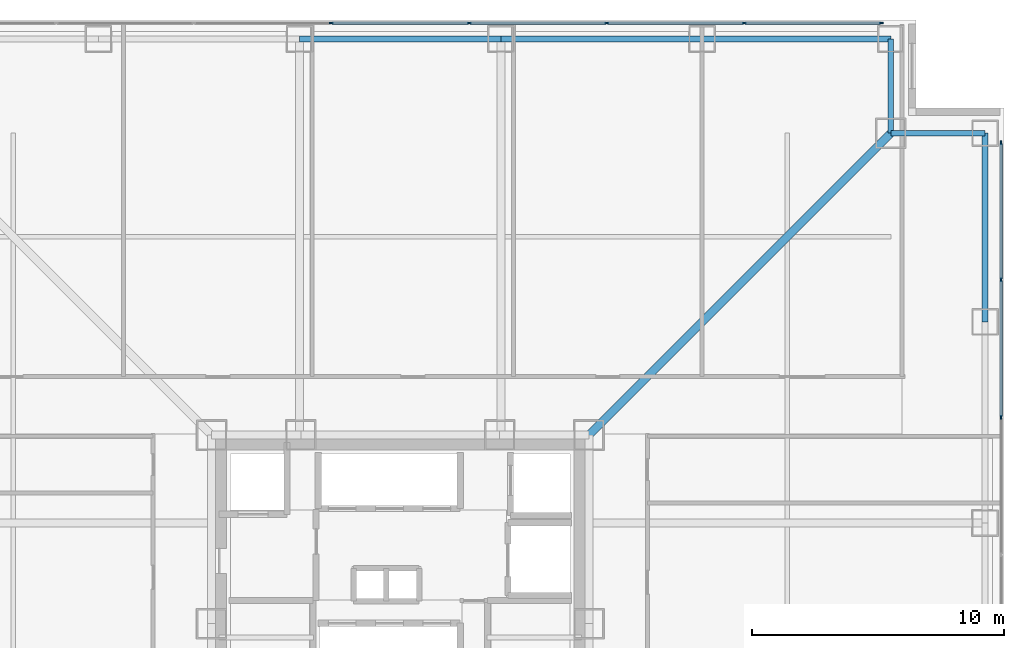
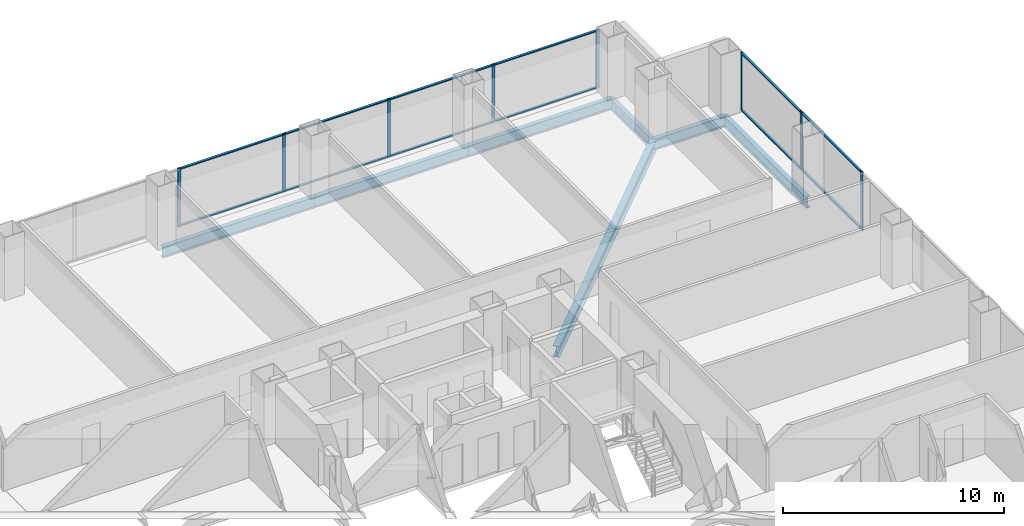
# One storey, part 13 of 20: 20 members, 7 beams, 2 elements without a shape of their own.
"""IFC4 building model written with IfcOpenShell, lengths in metres."""

from ifc_helpers import new_model, si_unit, direction, frame, origin, origin_2d, place, context, subcontext, project, spatial, rectangle, i_section, extrude, material, layer, layer_set, material_profile, profile_set, type_object, element, aggregate, save


model = new_model("IFC4")

# Units and contexts
model_context = context("Model", 3, precision=1e-05, world=origin(), true_north=direction((0.0, 1.0)))
body_context = subcontext(model_context, "Body", "Model", "MODEL_VIEW")
ifc_project = project(units=[si_unit("LENGTHUNIT", "METRE"), si_unit("AREAUNIT", "SQUARE_METRE"), si_unit("VOLUMEUNIT", "CUBIC_METRE"), si_unit("PLANEANGLEUNIT", "RADIAN"), si_unit("MASSUNIT", "GRAM", prefix="KILO")], contexts=[model_context])

# Site, building, storey
site_placement = place(None, origin())
site = spatial("IfcSite", under=ifc_project, at=site_placement, CompositionType="ELEMENT")
building_placement = place(site_placement, origin())
building = spatial("IfcBuilding", under=site, at=building_placement, Name="Trevonay Congress Spire", CompositionType="ELEMENT")
storey_placement = place(building_placement, frame((0.0, 0.0, 62.0)))
storey = spatial("IfcBuildingStorey", under=building, at=storey_placement, Name="L15", CompositionType="ELEMENT", Elevation=62.0)

# Beams
ifc_material_1 = material(Name="Steel ASTM A572 Grade 50", Category="steel")
ifc_material_profile_1 = material_profile(ifc_material_1, i_section(OverallWidth=0.324951171875, OverallDepth=0.615966796875, WebThickness=0.013916015625, FlangeThickness=0.021484375, FilletRadius=0.01806640625, at=origin_2d()), Name="W610x174")
ifc_profile_set_1 = profile_set([ifc_material_profile_1], Name="Steel ASTM A572 Grade 50")
beam_type_1 = type_object("IfcBeamType", Name="BM-GIRD-W610X174", PredefinedType="BEAM", material=ifc_profile_set_1)
beam_placement = place(storey_placement, frame((7.5, 7.5, -0.55810546875), z_axis=(0.707106781187, 0.707106781187, 0.0), x_axis=(-0.707106781187, 0.707106781187, 0.0)))
element("IfcBeam", 1, at=beam_placement, inside=storey, type_object=beam_type_1, Name="L15 structural beam BM-L15-CDNE", PredefinedType="BEAM", context=body_context, shape_type="SweptSolid", body=[
    extrude(i_section(OverallWidth=0.324951171875, OverallDepth=0.615966796875, WebThickness=0.013916015625, FlangeThickness=0.021484375, FilletRadius=0.01806640625, at=origin_2d()), origin(), (0.0, 0.0, 1.0), 16.970458984375),
])
ifc_material_profile_2 = material_profile(ifc_material_1, i_section(OverallWidth=0.22998046875, OverallDepth=0.616943359375, WebThickness=0.01318359375, FlangeThickness=0.022216796875, FilletRadius=0.01611328125, at=origin_2d()), Name="W610x140")
ifc_profile_set_2 = profile_set([ifc_material_profile_2], Name="Steel ASTM A572 Grade 50")
beam_type_2 = type_object("IfcBeamType", Name="BM-RING-W610X140", PredefinedType="BEAM", material=ifc_profile_set_2)
for number, where, z_axis, x_axis, name in (
    (2, (-4.0, 23.25, -0.55859375), (1.0, 0.0, 0.0), (0.0, 1.0, 0.0), "L15 structural beam BM-L15-PN3"),
    (3, (4.0, 23.25, -0.55859375), (1.0, 0.0, 0.0), (0.0, 1.0, 0.0), "L15 structural beam BM-L15-PN4"),
):
    element("IfcBeam", number, at=place(storey_placement, frame(where, z_axis=z_axis, x_axis=x_axis)), inside=storey, type_object=beam_type_2, Name=name, PredefinedType="BEAM", context=body_context, shape_type="SweptSolid", body=[
        extrude(i_section(OverallWidth=0.22998046875, OverallDepth=0.616943359375, WebThickness=0.01318359375, FlangeThickness=0.022216796875, FilletRadius=0.01611328125, at=origin_2d()), origin(), (0.0, 0.0, 1.0), 8.0),
    ])
for number, where, z_axis, x_axis, name in (
    (4, (12.0, 23.25, -0.55859375), (1.0, 0.0, 0.0), (0.0, 1.0, 0.0), "L15 structural beam BM-L15-PN5"),
    (5, (23.25, 12.0, -0.55859375), (0.0, 1.0, 0.0), (-1.0, 0.0, 0.0), "L15 structural beam BM-L15-PE5"),
):
    element("IfcBeam", number, at=place(storey_placement, frame(where, z_axis=z_axis, x_axis=x_axis)), inside=storey, type_object=beam_type_2, Name=name, PredefinedType="BEAM", context=body_context, shape_type="SweptSolid", body=[
        extrude(i_section(OverallWidth=0.22998046875, OverallDepth=0.616943359375, WebThickness=0.01318359375, FlangeThickness=0.022216796875, FilletRadius=0.01611328125, at=origin_2d()), origin(), (0.0, 0.0, 1.0), 7.5),
    ])
for number, where, z_axis, x_axis, name in (
    (6, (19.5, 23.25, -0.55859375), (0.0, -1.0, 0.0), (1.0, 0.0, 0.0), "L15 structural beam BM-L15-N1NE"),
    (7, (23.25, 19.5, -0.55859375), (-1.0, 0.0, 0.0), (0.0, -1.0, 0.0), "L15 structural beam BM-L15-N2NE"),
):
    element("IfcBeam", number, at=place(storey_placement, frame(where, z_axis=z_axis, x_axis=x_axis)), inside=storey, type_object=beam_type_2, Name=name, PredefinedType="BEAM", context=body_context, shape_type="SweptSolid", body=[
        extrude(i_section(OverallWidth=0.22998046875, OverallDepth=0.616943359375, WebThickness=0.01318359375, FlangeThickness=0.022216796875, FilletRadius=0.01611328125, at=origin_2d()), origin(), (0.0, 0.0, 1.0), 3.75),
    ])

# Curtain wall, members
ifc_material_2 = material(Name="Pale Anodised Aluminium EN AW-6063-T6", Category="aluminium")
ifc_layer = layer(ifc_material_2, 0.179931640625, Name="Pale Anodised Aluminium EN AW-6063-T6")
ifc_layer_set = layer_set([ifc_layer], Name="Pale Anodised Aluminium EN AW-6063-T6")
curtain_wall_type = type_object("IfcCurtainWallType", Name="CW-SYS02-HOTEL-PALE-METAL", PredefinedType="NOTDEFINED", material=ifc_layer_set)
curtain_wall_1_placement = place(storey_placement, origin())
curtain_wall_1 = element("IfcCurtainWall", 8, at=curtain_wall_1_placement, inside=storey, type_object=curtain_wall_type, Name="L15 N unitised curtain wall", PredefinedType="NOTDEFINED")
ifc_material_profile_3 = material_profile(ifc_material_2, rectangle(XDim=0.06005859375, YDim=0.159912109375, at=origin_2d()), Name="CW-MULLION-160-ALUMINIUM")
ifc_profile_set_3 = profile_set([ifc_material_profile_3], Name="Pale Anodised Aluminium EN AW-6063-T6")
member_type_1 = type_object("IfcMemberType", Name="CW-MULLION-160-ALUMINIUM", PredefinedType="MULLION", material=ifc_profile_set_3)
member_1_placement = place(storey_placement, frame((-2.735595703125, 23.8798828125, 0.0), z_axis=(0.0, 0.0, 1.0), x_axis=(0.0, 1.0, 0.0)))
member_1 = element("IfcMember", 9, at=member_1_placement, type_object=member_type_1, Name="CW02 mullion 4", PredefinedType="MULLION", context=body_context, shape_type="SweptSolid", body=[
    extrude(rectangle(XDim=0.06005859375, YDim=0.159912109375, at=origin_2d()), origin(), (0.0, 0.0, 1.0), 3.25),
])
member_2_placement = place(storey_placement, frame((2.735595703125, 23.8798828125, 0.0), z_axis=(0.0, 0.0, 1.0), x_axis=(0.0, 1.0, 0.0)))
member_2 = element("IfcMember", 10, at=member_2_placement, type_object=member_type_1, Name="CW02 mullion 5", PredefinedType="MULLION", context=body_context, shape_type="SweptSolid", body=[
    extrude(rectangle(XDim=0.06005859375, YDim=0.159912109375, at=origin_2d()), origin(), (0.0, 0.0, 1.0), 3.25),
])
member_3_placement = place(storey_placement, frame((8.20703125, 23.8798828125, 0.0), z_axis=(0.0, 0.0, 1.0), x_axis=(0.0, 1.0, 0.0)))
member_3 = element("IfcMember", 11, at=member_3_placement, type_object=member_type_1, Name="CW02 mullion 6", PredefinedType="MULLION", context=body_context, shape_type="SweptSolid", body=[
    extrude(rectangle(XDim=0.06005859375, YDim=0.159912109375, at=origin_2d()), origin(), (0.0, 0.0, 1.0), 3.25),
])
member_4_placement = place(storey_placement, frame((13.678466796875, 23.8798828125, 0.0), z_axis=(0.0, 0.0, 1.0), x_axis=(0.0, 1.0, 0.0)))
member_4 = element("IfcMember", 12, at=member_4_placement, type_object=member_type_1, Name="CW02 mullion 7", PredefinedType="MULLION", context=body_context, shape_type="SweptSolid", body=[
    extrude(rectangle(XDim=0.06005859375, YDim=0.159912109375, at=origin_2d()), origin(), (0.0, 0.0, 1.0), 3.25),
])
member_5_placement = place(storey_placement, frame((19.1201171875, 23.8798828125, 0.0), z_axis=(0.0, 0.0, 1.0), x_axis=(0.0, 1.0, 0.0)))
member_5 = element("IfcMember", 13, at=member_5_placement, type_object=member_type_1, Name="CW02 mullion 8", PredefinedType="MULLION", context=body_context, shape_type="SweptSolid", body=[
    extrude(rectangle(XDim=0.06005859375, YDim=0.159912109375, at=origin_2d()), origin(), (0.0, 0.0, 1.0), 3.25),
])

curtain_wall_2_placement = place(storey_placement, origin())
curtain_wall_2 = element("IfcCurtainWall", 14, at=curtain_wall_2_placement, inside=storey, type_object=curtain_wall_type, Name="L15 E unitised curtain wall", PredefinedType="NOTDEFINED")
member_6_placement = place(storey_placement, frame((23.8798828125, 8.20703125, 0.0), z_axis=(0.0, 0.0, 1.0), x_axis=(-1.0, 0.0, 0.0)))
member_6 = element("IfcMember", 15, at=member_6_placement, type_object=member_type_1, Name="CW02 mullion 6", PredefinedType="MULLION", context=body_context, shape_type="SweptSolid", body=[
    extrude(rectangle(XDim=0.06005859375, YDim=0.159912109375, at=origin_2d()), origin(), (0.0, 0.0, 1.0), 3.25),
])
member_7_placement = place(storey_placement, frame((23.8798828125, 13.678466796875, 0.0), z_axis=(0.0, 0.0, 1.0), x_axis=(-1.0, 0.0, 0.0)))
member_7 = element("IfcMember", 16, at=member_7_placement, type_object=member_type_1, Name="CW02 mullion 7", PredefinedType="MULLION", context=body_context, shape_type="SweptSolid", body=[
    extrude(rectangle(XDim=0.06005859375, YDim=0.159912109375, at=origin_2d()), origin(), (0.0, 0.0, 1.0), 3.25),
])
member_8_placement = place(storey_placement, frame((23.8798828125, 19.1201171875, 0.0), z_axis=(0.0, 0.0, 1.0), x_axis=(-1.0, 0.0, 0.0)))
member_8 = element("IfcMember", 17, at=member_8_placement, type_object=member_type_1, Name="CW02 mullion 8", PredefinedType="MULLION", context=body_context, shape_type="SweptSolid", body=[
    extrude(rectangle(XDim=0.06005859375, YDim=0.159912109375, at=origin_2d()), origin(), (0.0, 0.0, 1.0), 3.25),
])

# Member
ifc_material_profile_4 = material_profile(ifc_material_2, rectangle(XDim=0.1201171875, YDim=0.06005859375, at=origin_2d()), Name="CW-TRANSOM-120-ALUMINIUM")
ifc_profile_set_4 = profile_set([ifc_material_profile_4], Name="Pale Anodised Aluminium EN AW-6063-T6")
member_type_2 = type_object("IfcMemberType", Name="CW-TRANSOM-120-ALUMINIUM", PredefinedType="USERDEFINED", material=ifc_profile_set_4)
member_9_placement = place(storey_placement, frame((-2.705810546875, 23.8798828125, 0.06005859375), z_axis=(1.0, 0.0, 0.0), x_axis=(0.0, 1.0, 0.0)))
member_9 = element("IfcMember", 18, at=member_9_placement, type_object=member_type_2, Name="CW02 transom 4.1", ObjectType="TRANSOM", PredefinedType="USERDEFINED", context=body_context, shape_type="SweptSolid", body=[
    extrude(rectangle(XDim=0.1201171875, YDim=0.06005859375, at=origin_2d()), origin(), (0.0, 0.0, 1.0), 5.41162109375),
])

member_10_placement = place(storey_placement, frame((-2.705810546875, 23.8798828125, 3.18994140625), z_axis=(1.0, 0.0, 0.0), x_axis=(0.0, 1.0, 0.0)))
member_10 = element("IfcMember", 19, at=member_10_placement, type_object=member_type_2, Name="CW02 transom 4.2", ObjectType="TRANSOM", PredefinedType="USERDEFINED", context=body_context, shape_type="SweptSolid", body=[
    extrude(rectangle(XDim=0.1201171875, YDim=0.06005859375, at=origin_2d()), origin(), (0.0, 0.0, 1.0), 5.41162109375),
])

member_11_placement = place(storey_placement, frame((2.765625, 23.8798828125, 0.06005859375), z_axis=(1.0, 0.0, 0.0), x_axis=(0.0, 1.0, 0.0)))
member_11 = element("IfcMember", 20, at=member_11_placement, type_object=member_type_2, Name="CW02 transom 5.1", ObjectType="TRANSOM", PredefinedType="USERDEFINED", context=body_context, shape_type="SweptSolid", body=[
    extrude(rectangle(XDim=0.1201171875, YDim=0.06005859375, at=origin_2d()), origin(), (0.0, 0.0, 1.0), 5.41162109375),
])

member_12_placement = place(storey_placement, frame((2.765625, 23.8798828125, 3.18994140625), z_axis=(1.0, 0.0, 0.0), x_axis=(0.0, 1.0, 0.0)))
member_12 = element("IfcMember", 21, at=member_12_placement, type_object=member_type_2, Name="CW02 transom 5.2", ObjectType="TRANSOM", PredefinedType="USERDEFINED", context=body_context, shape_type="SweptSolid", body=[
    extrude(rectangle(XDim=0.1201171875, YDim=0.06005859375, at=origin_2d()), origin(), (0.0, 0.0, 1.0), 5.41162109375),
])

member_13_placement = place(storey_placement, frame((8.237060546875, 23.8798828125, 0.06005859375), z_axis=(1.0, 0.0, 0.0), x_axis=(0.0, 1.0, 0.0)))
member_13 = element("IfcMember", 22, at=member_13_placement, type_object=member_type_2, Name="CW02 transom 6.1", ObjectType="TRANSOM", PredefinedType="USERDEFINED", context=body_context, shape_type="SweptSolid", body=[
    extrude(rectangle(XDim=0.1201171875, YDim=0.06005859375, at=origin_2d()), origin(), (0.0, 0.0, 1.0), 5.41162109375),
])

member_14_placement = place(storey_placement, frame((8.237060546875, 23.8798828125, 3.18994140625), z_axis=(1.0, 0.0, 0.0), x_axis=(0.0, 1.0, 0.0)))
member_14 = element("IfcMember", 23, at=member_14_placement, type_object=member_type_2, Name="CW02 transom 6.2", ObjectType="TRANSOM", PredefinedType="USERDEFINED", context=body_context, shape_type="SweptSolid", body=[
    extrude(rectangle(XDim=0.1201171875, YDim=0.06005859375, at=origin_2d()), origin(), (0.0, 0.0, 1.0), 5.41162109375),
])

member_15_placement = place(storey_placement, frame((13.70849609375, 23.8798828125, 0.06005859375), z_axis=(1.0, 0.0, 0.0), x_axis=(0.0, 1.0, 0.0)))
member_15 = element("IfcMember", 24, at=member_15_placement, type_object=member_type_2, Name="CW02 transom 7.1", ObjectType="TRANSOM", PredefinedType="USERDEFINED", context=body_context, shape_type="SweptSolid", body=[
    extrude(rectangle(XDim=0.1201171875, YDim=0.06005859375, at=origin_2d()), origin(), (0.0, 0.0, 1.0), 5.381591796875),
])

member_16_placement = place(storey_placement, frame((13.70849609375, 23.8798828125, 3.18994140625), z_axis=(1.0, 0.0, 0.0), x_axis=(0.0, 1.0, 0.0)))
member_16 = element("IfcMember", 25, at=member_16_placement, type_object=member_type_2, Name="CW02 transom 7.2", ObjectType="TRANSOM", PredefinedType="USERDEFINED", context=body_context, shape_type="SweptSolid", body=[
    extrude(rectangle(XDim=0.1201171875, YDim=0.06005859375, at=origin_2d()), origin(), (0.0, 0.0, 1.0), 5.381591796875),
])

aggregate(curtain_wall_1, [member_1, member_2, member_3, member_4, member_5, member_9, member_10, member_11, member_12, member_13, member_14, member_15, member_16])

member_17_placement = place(storey_placement, frame((23.8798828125, 8.237060546875, 0.06005859375), z_axis=(0.0, 1.0, 0.0), x_axis=(-1.0, 0.0, 0.0)))
member_17 = element("IfcMember", 26, at=member_17_placement, type_object=member_type_2, Name="CW02 transom 6.1", ObjectType="TRANSOM", PredefinedType="USERDEFINED", context=body_context, shape_type="SweptSolid", body=[
    extrude(rectangle(XDim=0.1201171875, YDim=0.06005859375, at=origin_2d()), origin(), (0.0, 0.0, 1.0), 5.41162109375),
])

member_18_placement = place(storey_placement, frame((23.8798828125, 8.237060546875, 3.18994140625), z_axis=(0.0, 1.0, 0.0), x_axis=(-1.0, 0.0, 0.0)))
member_18 = element("IfcMember", 27, at=member_18_placement, type_object=member_type_2, Name="CW02 transom 6.2", ObjectType="TRANSOM", PredefinedType="USERDEFINED", context=body_context, shape_type="SweptSolid", body=[
    extrude(rectangle(XDim=0.1201171875, YDim=0.06005859375, at=origin_2d()), origin(), (0.0, 0.0, 1.0), 5.41162109375),
])

member_19_placement = place(storey_placement, frame((23.8798828125, 13.70849609375, 0.06005859375), z_axis=(0.0, 1.0, 0.0), x_axis=(-1.0, 0.0, 0.0)))
member_19 = element("IfcMember", 28, at=member_19_placement, type_object=member_type_2, Name="CW02 transom 7.1", ObjectType="TRANSOM", PredefinedType="USERDEFINED", context=body_context, shape_type="SweptSolid", body=[
    extrude(rectangle(XDim=0.1201171875, YDim=0.06005859375, at=origin_2d()), origin(), (0.0, 0.0, 1.0), 5.381591796875),
])

member_20_placement = place(storey_placement, frame((23.8798828125, 13.70849609375, 3.18994140625), z_axis=(0.0, 1.0, 0.0), x_axis=(-1.0, 0.0, 0.0)))
member_20 = element("IfcMember", 29, at=member_20_placement, type_object=member_type_2, Name="CW02 transom 7.2", ObjectType="TRANSOM", PredefinedType="USERDEFINED", context=body_context, shape_type="SweptSolid", body=[
    extrude(rectangle(XDim=0.1201171875, YDim=0.06005859375, at=origin_2d()), origin(), (0.0, 0.0, 1.0), 5.381591796875),
])

aggregate(curtain_wall_2, [member_6, member_7, member_8, member_17, member_18, member_19, member_20])

save(model, "model.ifc")
